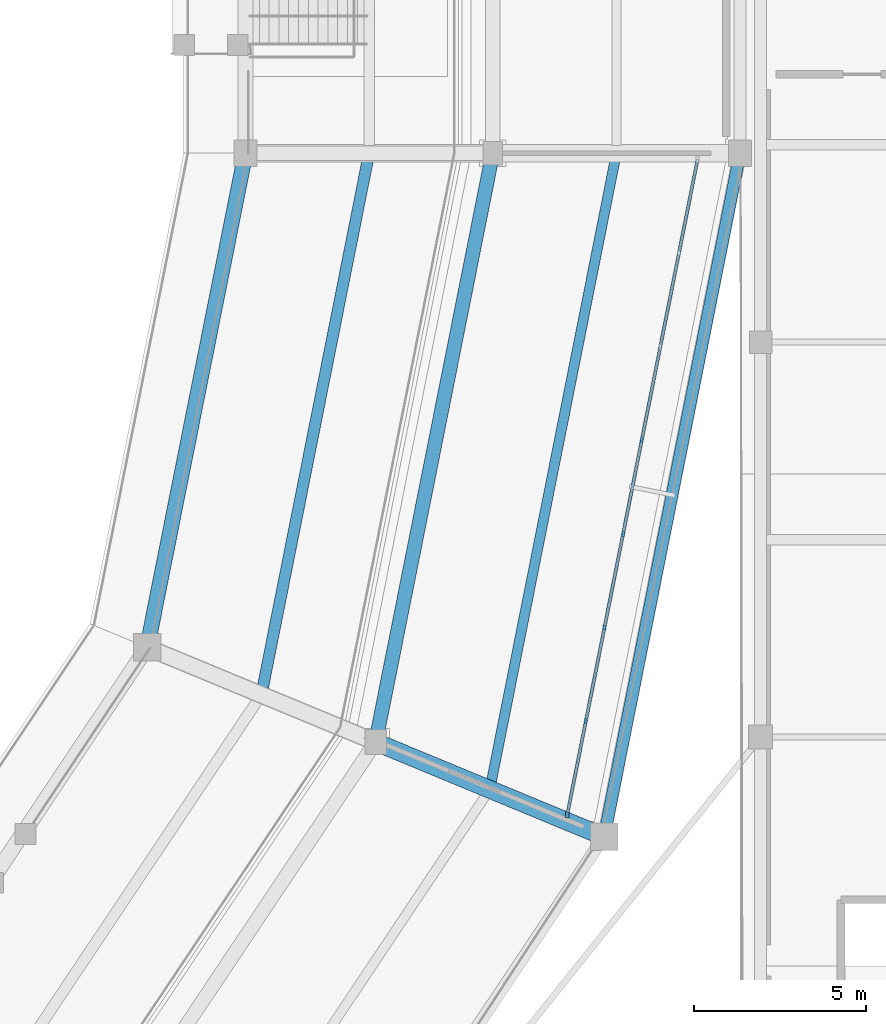
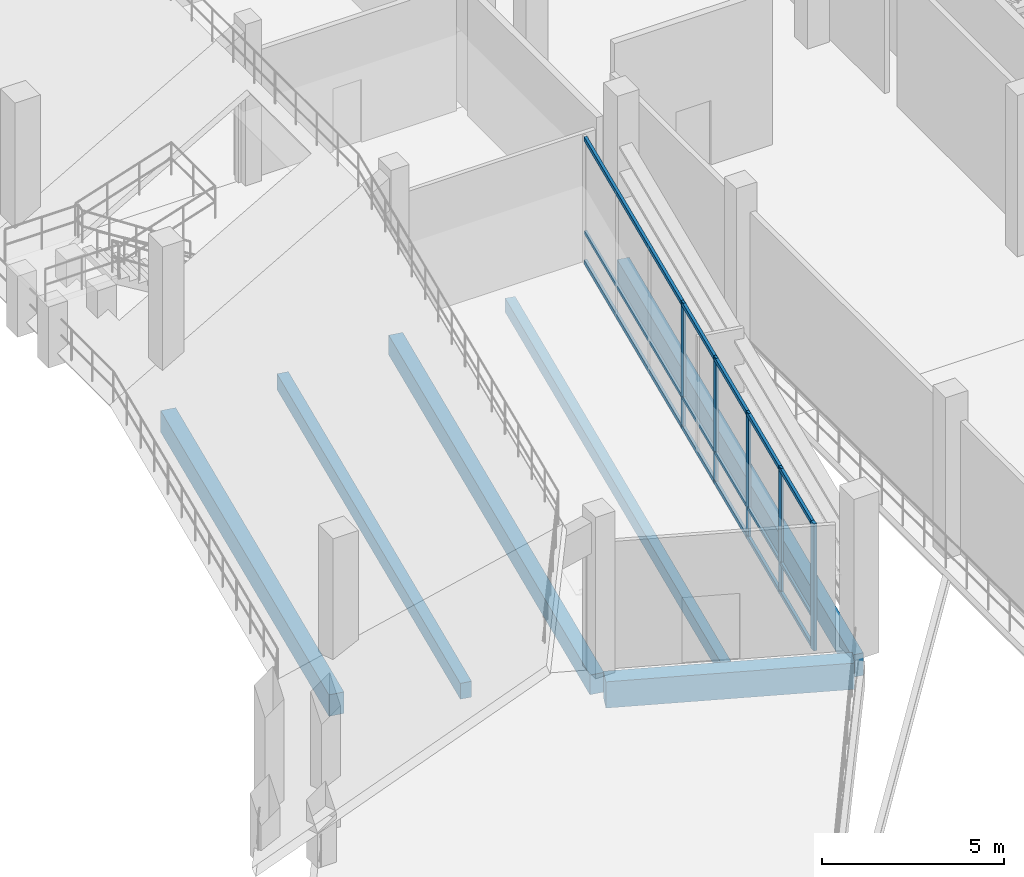
# One storey, part 38 of 127: 8 members, 6 beams, 1 element without a shape of its own.
"""IFC4 building model written with IfcOpenShell, lengths in metres."""

from ifc_helpers import new_model, si_unit, direction, frame, origin, origin_2d, place, context, subcontext, project, spatial, rectangle, extrude, material, material_profile, profile_set, type_object, element, aggregate, save


model = new_model("IFC4")

# Units and contexts
model_context = context("Model", 3, precision=1e-05, world=origin(), true_north=direction((0.0, 1.0)))
body_context = subcontext(model_context, "Body", "Model", "MODEL_VIEW")
ifc_project = project(units=[si_unit("LENGTHUNIT", "METRE"), si_unit("AREAUNIT", "SQUARE_METRE"), si_unit("VOLUMEUNIT", "CUBIC_METRE"), si_unit("PLANEANGLEUNIT", "RADIAN"), si_unit("MASSUNIT", "GRAM", prefix="KILO")], contexts=[model_context])

# Site, building, storey
site_placement = place(None, origin())
site = spatial("IfcSite", under=ifc_project, at=site_placement, CompositionType="ELEMENT")
building_placement = place(site_placement, origin())
building = spatial("IfcBuilding", under=site, at=building_placement, Name="Candeia Ridge Stadium", CompositionType="ELEMENT")
storey_placement = place(building_placement, frame((0.0, 0.0, 10.800048828125)))
storey = spatial("IfcBuildingStorey", under=building, at=storey_placement, Name="L02", CompositionType="ELEMENT", Elevation=10.800048828125)

# Curtain wall, members
ifc_material_1 = material(Name="Aluminium Anodized Warm Bronze", Category="aluminium")
curtain_wall_type = type_object("IfcCurtainWallType", Name="Concourse Recessed Unitised Curtain Wall", PredefinedType="NOTDEFINED", material=ifc_material_1)
curtain_wall_placement = place(storey_placement, origin())
curtain_wall = element("IfcCurtainWall", 1, at=curtain_wall_placement, inside=storey, type_object=curtain_wall_type, Name="Unitised curtain wall CW-BWL-L02-28", PredefinedType="NOTDEFINED")
ifc_material_profile_1 = material_profile(ifc_material_1, rectangle(XDim=0.090087890625, YDim=0.179931640625, at=origin_2d()), Name="CWM-90x180", Category="aluminium")
ifc_profile_set_1 = profile_set([ifc_material_profile_1], Name="Aluminium Anodized Warm Bronze")
member_type_1 = type_object("IfcMemberType", Name="Curtain Wall Primary Mullion 90x180", PredefinedType="MULLION", material=ifc_profile_set_1)
member_1_placement = place(storey_placement, frame((187.96826171875, 51.736083984375, 0.0), z_axis=(0.0, 0.0, 1.0), x_axis=(1.0, 0.0, 0.0)))
member_1 = element("IfcMember", 2, at=member_1_placement, type_object=member_type_1, Name="Curtain wall mullion CW-BWL-L02-28-M0", PredefinedType="MULLION", context=body_context, shape_type="SweptSolid", body=[
    extrude(rectangle(XDim=0.090087890625, YDim=0.179931640625, at=origin_2d()), origin(), (0.0, 0.0, 1.0), 4.2548828125),
])
ifc_material_profile_2 = material_profile(ifc_material_1, rectangle(XDim=0.074951171875, YDim=0.14990234375, at=origin_2d()), Name="CWM-75x150", Category="aluminium")
ifc_profile_set_2 = profile_set([ifc_material_profile_2], Name="Aluminium Anodized Warm Bronze")
member_type_2 = type_object("IfcMemberType", Name="Curtain Wall Secondary Mullion 75x150", PredefinedType="MULLION", material=ifc_profile_set_2)
member_2_placement = place(storey_placement, frame((188.510498046875, 54.462890625, 0.0), z_axis=(0.0, 0.0, 1.0), x_axis=(1.0, 0.0, 0.0)))
member_2 = element("IfcMember", 3, at=member_2_placement, type_object=member_type_2, Name="Curtain wall mullion CW-BWL-L02-28-M1", PredefinedType="MULLION", context=body_context, shape_type="SweptSolid", body=[
    extrude(rectangle(XDim=0.074951171875, YDim=0.14990234375, at=origin_2d()), origin(), (0.0, 0.0, 1.0), 4.2548828125),
])
member_3_placement = place(storey_placement, frame((189.052978515625, 57.189697265625, 0.0), z_axis=(0.0, 0.0, 1.0), x_axis=(1.0, 0.0, 0.0)))
member_3 = element("IfcMember", 4, at=member_3_placement, type_object=member_type_2, Name="Curtain wall mullion CW-BWL-L02-28-M2", PredefinedType="MULLION", context=body_context, shape_type="SweptSolid", body=[
    extrude(rectangle(XDim=0.074951171875, YDim=0.14990234375, at=origin_2d()), origin(), (0.0, 0.0, 1.0), 4.2548828125),
])
member_4_placement = place(storey_placement, frame((189.595458984375, 59.91650390625, 0.0), z_axis=(0.0, 0.0, 1.0), x_axis=(1.0, 0.0, 0.0)))
member_4 = element("IfcMember", 5, at=member_4_placement, type_object=member_type_2, Name="Curtain wall mullion CW-BWL-L02-28-M3", PredefinedType="MULLION", context=body_context, shape_type="SweptSolid", body=[
    extrude(rectangle(XDim=0.074951171875, YDim=0.14990234375, at=origin_2d()), origin(), (0.0, 0.0, 1.0), 4.2548828125),
])
member_5_placement = place(storey_placement, frame((190.1376953125, 62.643310546875, 0.0), z_axis=(0.0, 0.0, 1.0), x_axis=(1.0, 0.0, 0.0)))
member_5 = element("IfcMember", 6, at=member_5_placement, type_object=member_type_2, Name="Curtain wall mullion CW-BWL-L02-28-M4", PredefinedType="MULLION", context=body_context, shape_type="SweptSolid", body=[
    extrude(rectangle(XDim=0.074951171875, YDim=0.14990234375, at=origin_2d()), origin(), (0.0, 0.0, 1.0), 4.2548828125),
])
ifc_material_profile_3 = material_profile(ifc_material_1, rectangle(XDim=0.074951171875, YDim=0.110107421875, at=origin_2d()), Name="CWT-75x110", Category="aluminium")
ifc_profile_set_3 = profile_set([ifc_material_profile_3], Name="Aluminium Anodized Warm Bronze")
member_type_3 = type_object("IfcMemberType", Name="Curtain Wall Secondary Transom 75x110", PredefinedType="USERDEFINED", material=ifc_profile_set_3)
member_6_placement = place(storey_placement, frame((187.96826171875, 51.736083984375, 1.063720703125), z_axis=(0.195085896803, 0.980786160623, 0.0), x_axis=(-0.980786160623, 0.195085896803, 0.0)))
member_6 = element("IfcMember", 7, at=member_6_placement, type_object=member_type_3, Name="Curtain wall transom CW-BWL-L02-28-T1", ObjectType="TRANSOM", PredefinedType="USERDEFINED", context=body_context, shape_type="SweptSolid", body=[
    extrude(rectangle(XDim=0.074951171875, YDim=0.110107421875, at=origin_2d()), origin(), (0.0, 0.0, 1.0), 19.46142578125),
])
ifc_material_profile_4 = material_profile(ifc_material_1, rectangle(XDim=0.090087890625, YDim=0.139892578125, at=origin_2d()), Name="CWT-90x140", Category="aluminium")
ifc_profile_set_4 = profile_set([ifc_material_profile_4], Name="Aluminium Anodized Warm Bronze")
member_type_4 = type_object("IfcMemberType", Name="Curtain Wall Transom 90x140", PredefinedType="USERDEFINED", material=ifc_profile_set_4)
member_7_placement = place(storey_placement, frame((187.96826171875, 51.736083984375, 0.070068359375), z_axis=(0.195085896803, 0.980786160623, 0.0), x_axis=(-0.980786160623, 0.195085896803, 0.0)))
member_7 = element("IfcMember", 8, at=member_7_placement, type_object=member_type_4, Name="Curtain wall transom CW-BWL-L02-28-T0", ObjectType="TRANSOM", PredefinedType="USERDEFINED", context=body_context, shape_type="SweptSolid", body=[
    extrude(rectangle(XDim=0.090087890625, YDim=0.139892578125, at=origin_2d()), origin(), (0.0, 0.0, 1.0), 19.46142578125),
])
member_8_placement = place(storey_placement, frame((187.96826171875, 51.736083984375, 4.18505859375), z_axis=(0.195085896803, 0.980786160623, 0.0), x_axis=(-0.980786160623, 0.195085896803, 0.0)))
member_8 = element("IfcMember", 9, at=member_8_placement, type_object=member_type_4, Name="Curtain wall transom CW-BWL-L02-28-T2", ObjectType="TRANSOM", PredefinedType="USERDEFINED", context=body_context, shape_type="SweptSolid", body=[
    extrude(rectangle(XDim=0.090087890625, YDim=0.139892578125, at=origin_2d()), origin(), (0.0, 0.0, 1.0), 19.46142578125),
])
aggregate(curtain_wall, [member_1, member_2, member_3, member_4, member_5, member_7, member_6, member_8])

# Beams
ifc_material_2 = material(Name="Concrete C40/50", Category="concrete")
ifc_material_profile_5 = material_profile(ifc_material_2, rectangle(XDim=0.2900390625, YDim=0.469970703125, at=origin_2d()), Name="RC290x470", Category="concrete")
ifc_profile_set_5 = profile_set([ifc_material_profile_5], Name="Concrete C40/50")
beam_type_1 = type_object("IfcBeamType", Name="Floor Joist RC290x470", PredefinedType="JOIST", material=ifc_profile_set_5)
beam_1_placement = place(storey_placement, frame((185.759033203125, 52.69580078125, -0.4951171875), z_axis=(0.195092537954, 0.980784839623, 0.0), x_axis=(-0.980784839623, 0.195092537954, 0.0)))
element("IfcBeam", 10, at=beam_1_placement, inside=storey, type_object=beam_type_1, Name="Concourse secondary joist BM-L02-0446", PredefinedType="JOIST", context=body_context, shape_type="SweptSolid", body=[
    extrude(rectangle(XDim=0.2900390625, YDim=0.469970703125, at=origin_2d()), origin(), (0.0, 0.0, 1.0), 18.440673828125),
])
ifc_material_profile_6 = material_profile(ifc_material_2, rectangle(XDim=0.330078125, YDim=0.530029296875, at=origin_2d()), Name="RC330x530", Category="concrete")
ifc_profile_set_6 = profile_set([ifc_material_profile_6], Name="Concrete C40/50")
beam_type_2 = type_object("IfcBeamType", Name="Floor Joist RC330x530", PredefinedType="JOIST", material=ifc_profile_set_6)
beam_2_placement = place(storey_placement, frame((179.107177734375, 55.451171875, -0.525146484375), z_axis=(0.195091809076, 0.980784984607, 0.0), x_axis=(-0.980784984607, 0.195091809076, 0.0)))
element("IfcBeam", 11, at=beam_2_placement, inside=storey, type_object=beam_type_2, Name="Concourse secondary joist BM-L02-0445", PredefinedType="JOIST", context=body_context, shape_type="SweptSolid", body=[
    extrude(rectangle(XDim=0.330078125, YDim=0.530029296875, at=origin_2d()), origin(), (0.0, 0.0, 1.0), 15.63134765625),
])
ifc_material_profile_7 = material_profile(ifc_material_2, rectangle(XDim=0.409912109375, YDim=0.659912109375, at=origin_2d()), Name="RC410x660", Category="concrete")
ifc_profile_set_7 = profile_set([ifc_material_profile_7], Name="Concrete C40/50")
beam_type_3 = type_object("IfcBeamType", Name="Frame Girder RC410x660", PredefinedType="BEAM", material=ifc_profile_set_7)
beam_3_placement = place(storey_placement, frame((182.4208984375, 54.0126953125, -0.590087890625), z_axis=(0.195098234154, 0.980783706548, 0.0), x_axis=(-0.980783706548, 0.195098234154, 0.0)))
element("IfcBeam", 12, at=beam_3_placement, inside=storey, type_object=beam_type_3, Name="Concourse spine girder BM-L02-0443", PredefinedType="BEAM", context=body_context, shape_type="SweptSolid", body=[
    extrude(rectangle(XDim=0.409912109375, YDim=0.659912109375, at=origin_2d()), origin(), (0.0, 0.0, 1.0), 17.16015625),
])
ifc_material_profile_8 = material_profile(ifc_material_2, rectangle(XDim=0.43994140625, YDim=0.719970703125, at=origin_2d()), Name="RC440x720", Category="concrete")
ifc_profile_set_8 = profile_set([ifc_material_profile_8], Name="Concrete C40/50")
beam_type_4 = type_object("IfcBeamType", Name="Frame Girder RC440x720", PredefinedType="BEAM", material=ifc_profile_set_8)
beam_4_placement = place(storey_placement, frame((175.76904296875, 56.76806640625, -0.6201171875), z_axis=(0.195098555341, 0.980783642657, 0.0), x_axis=(-0.980783642657, 0.195098555341, 0.0)))
element("IfcBeam", 13, at=beam_4_placement, inside=storey, type_object=beam_type_4, Name="Bowl inner ring girder BM-L02-0442", PredefinedType="BEAM", context=body_context, shape_type="SweptSolid", body=[
    extrude(rectangle(XDim=0.43994140625, YDim=0.719970703125, at=origin_2d()), origin(), (0.0, 0.0, 1.0), 14.350830078125),
])
ifc_material_3 = material(Name="Concrete C45/55", Category="concrete")
ifc_material_profile_9 = material_profile(ifc_material_3, rectangle(XDim=0.52001953125, YDim=0.8798828125, at=origin_2d()), Name="RC520x880", Category="concrete")
ifc_profile_set_9 = profile_set([ifc_material_profile_9], Name="Concrete C45/55")
beam_type_5 = type_object("IfcBeamType", Name="Frame Girder RC520x880", PredefinedType="BEAM", material=ifc_profile_set_9)
beam_5_placement = place(storey_placement, frame((182.53759765625, 53.79443359375, -0.699951171875), z_axis=(0.923880161031, -0.382681914982, 0.0), x_axis=(0.382681914982, 0.923880161031, 0.0)))
element("IfcBeam", 14, at=beam_5_placement, inside=storey, type_object=beam_type_5, Name="Bowl radial girder BM-L02-0298", PredefinedType="BEAM", context=body_context, shape_type="SweptSolid", body=[
    extrude(rectangle(XDim=0.52001953125, YDim=0.8798828125, at=origin_2d()), origin(), (0.0, 0.0, 1.0), 6.8798828125),
])
ifc_material_profile_10 = material_profile(ifc_material_3, rectangle(XDim=0.35009765625, YDim=0.75, at=origin_2d()), Name="RC350x750", Category="concrete")
ifc_profile_set_10 = profile_set([ifc_material_profile_10], Name="Concrete C45/55")
beam_type_6 = type_object("IfcBeamType", Name="Spandrel Beam RC350x750", PredefinedType="SPANDREL", material=ifc_profile_set_10)
beam_6_placement = place(storey_placement, frame((189.072998046875, 51.25732421875, -0.635009765625), z_axis=(0.195086242929, 0.980786091775, 0.0), x_axis=(-0.980786091775, 0.195086242929, 0.0)))
element("IfcBeam", 15, at=beam_6_placement, inside=storey, type_object=beam_type_6, Name="Bowl perimeter spandrel BM-L02-0444", PredefinedType="SPANDREL", context=body_context, shape_type="SweptSolid", body=[
    extrude(rectangle(XDim=0.35009765625, YDim=0.75, at=origin_2d()), origin(), (0.0, 0.0, 1.0), 19.969482421875),
])

save(model, "model.ifc")
